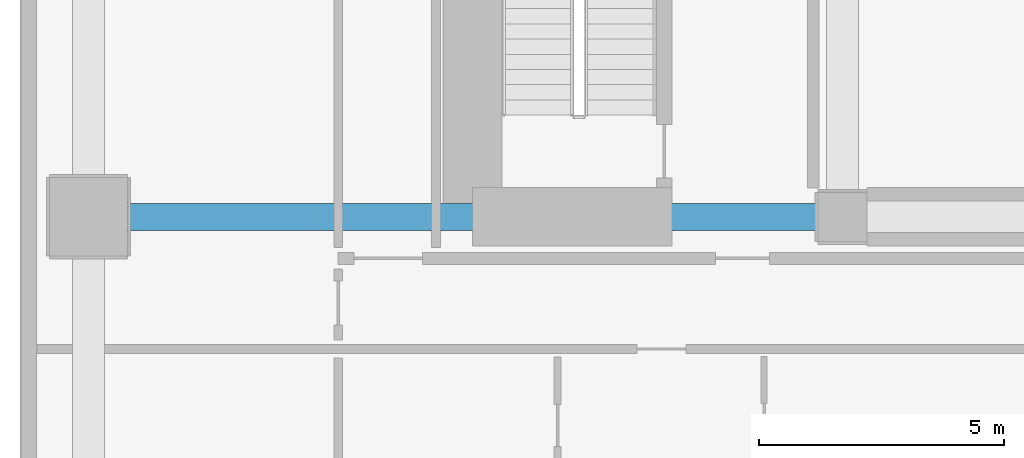
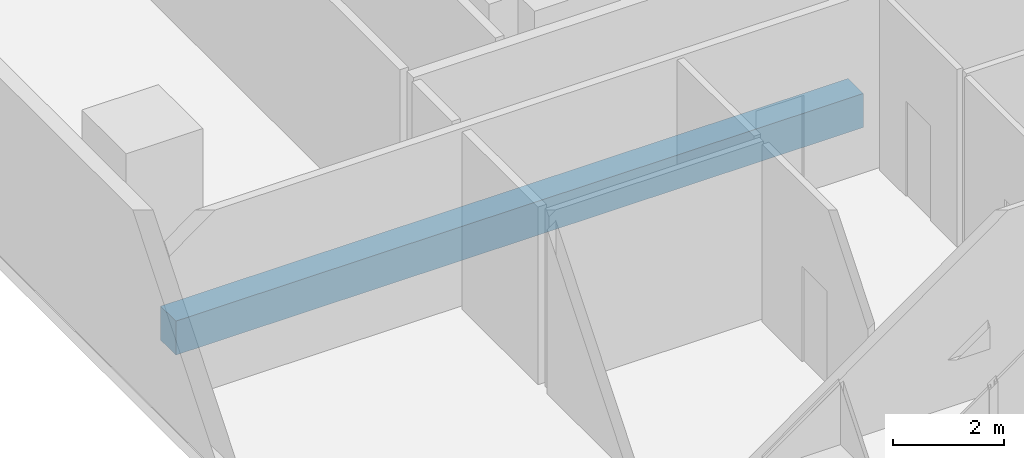
# One storey, part 3 of 24: 1 beam.
"""IFC4 building model written with IfcOpenShell, lengths in metres."""

import ifcopenshell
import ifcopenshell.guid

model = None  # the IFC model being written
_history = None  # IfcOwnerHistory: only IFC2X3 demands one
_inside = {}  # id of a spatial element -> (the spatial element, [elements in it])
_under = {}  # id of a project, library or spatial element -> (it, [spatial elements below it])
_declared = {}  # id of a project -> (the project, [libraries it declares])
_typed = {}  # id of a type object -> (the type object, [elements of that type])
_made_of = {}  # id of a material, layer set ... -> (it, [elements and type objects made of it])


def new_model(schema):
    """Start an empty IFC model of exactly this schema.

    Asked for "IFC4X3", IfcOpenShell would pick the latest addendum, in which some entities
    have other attributes; the version numbers below select the first issue.
    IFC2X3 requires an IfcOwnerHistory on every rooted entity: one is made here for all.
    """
    global model, _history
    if schema == "IFC4X3":
        model = ifcopenshell.file(schema_version=(4, 3, 0, 0))
    else:
        model = ifcopenshell.file(schema=schema)
    _inside.clear()
    _under.clear()
    _declared.clear()
    _typed.clear()
    _made_of.clear()
    _history = None
    if model.schema == "IFC2X3":
        org = make("IfcOrganization", Name="unknown")
        user = make(
            "IfcPersonAndOrganization",
            ThePerson=make("IfcPerson", FamilyName="unknown"),
            TheOrganization=org,
        )
        app = make(
            "IfcApplication",
            ApplicationDeveloper=org,
            Version="unknown",
            ApplicationFullName="unknown",
            ApplicationIdentifier="unknown",
        )
        _history = make(
            "IfcOwnerHistory",
            OwningUser=user,
            OwningApplication=app,
            ChangeAction="ADDED",
            CreationDate=0,
        )
    return model


def make(cls, **values):
    """One entity of the class cls with the attributes given. An attribute that is None is left unset."""
    return model.create_entity(
        cls, **{name: value for name, value in values.items() if value is not None}
    )


def rooted(cls, **values):
    """An entity with a GlobalId (a new one), such as an element, a storey or a relation."""
    return make(cls, GlobalId=ifcopenshell.guid.new(), OwnerHistory=_history, **values)


def si_unit(unit_type, name, prefix=None):
    """IfcSIUnit, for example si_unit("LENGTHUNIT", "METRE", prefix="MILLI")."""
    return make("IfcSIUnit", UnitType=unit_type, Prefix=prefix, Name=name)


def assignment(units):
    """IfcUnitAssignment: the units of a project."""
    return None if units is None else make("IfcUnitAssignment", Units=units)


def point(xyz):
    """IfcCartesianPoint."""
    return None if xyz is None else make("IfcCartesianPoint", Coordinates=xyz)


def direction(xyz):
    """IfcDirection."""
    return None if xyz is None else make("IfcDirection", DirectionRatios=xyz)


def frame(location, z_axis=None, x_axis=None):
    """IfcAxis2Placement3D, a coordinate frame: its origin and axes. An axis left out is left unset."""
    return make(
        "IfcAxis2Placement3D",
        Location=point(location),
        Axis=direction(z_axis),
        RefDirection=direction(x_axis),
    )


def frame_2d(location, x_axis=None):
    """IfcAxis2Placement2D, a coordinate frame in the plane: its origin and x axis."""
    return make(
        "IfcAxis2Placement2D", Location=point(location), RefDirection=direction(x_axis)
    )


def origin():
    """The frame at (0, 0, 0) with its axes left unset."""
    return frame((0.0, 0.0, 0.0))


def origin_2d():
    """The frame at (0, 0) in the plane with its x axis left unset."""
    return frame_2d((0.0, 0.0))


def place(relative_to, where):
    """IfcLocalPlacement: puts the frame where relative to a parent placement (None: the world)."""
    return make(
        "IfcLocalPlacement", PlacementRelTo=relative_to, RelativePlacement=where
    )


def context(
    kind, dimensions, precision=None, world=None, true_north=None, identifier=None
):
    """IfcGeometricRepresentationContext, for example the 3D "Model" context."""
    return make(
        "IfcGeometricRepresentationContext",
        ContextIdentifier=identifier,
        ContextType=kind,
        CoordinateSpaceDimension=dimensions,
        Precision=precision,
        WorldCoordinateSystem=world,
        TrueNorth=true_north,
    )


def subcontext(parent, identifier, kind, view, scale=None):
    """IfcGeometricRepresentationSubContext, for example "Body" below "Model"."""
    return make(
        "IfcGeometricRepresentationSubContext",
        ContextIdentifier=identifier,
        ContextType=kind,
        ParentContext=parent,
        TargetScale=scale,
        TargetView=view,
    )


def project(units=None, contexts=None):
    """IfcProject with its units and contexts."""
    return rooted(
        "IfcProject",
        Name="project",
        RepresentationContexts=contexts,
        UnitsInContext=assignment(units),
    )


def spatial(cls, under=None, at=None, **own):
    """A site, building, storey or space (cls), placed at a placement, below another one or the project."""
    s = rooted(cls, ObjectPlacement=at, **own)
    if under is not None:
        _under.setdefault(under.id(), (under, []))[1].append(s)
    return s


def profile(cls, at=None, kind="AREA", **sizes):
    """A parametric profile (cls). Its sizes go by their IFC names, for example OverallWidth=200.0."""
    return make(cls, ProfileType=kind, Position=at, **sizes)


def rectangle(**sizes):
    """IfcRectangleProfileDef."""
    return profile("IfcRectangleProfileDef", **sizes)


def extrude(swept, where, along, depth):
    """IfcExtrudedAreaSolid: the profile swept, set in the frame where, extruded along a direction by depth."""
    return make(
        "IfcExtrudedAreaSolid",
        SweptArea=swept,
        Position=where,
        ExtrudedDirection=direction(along),
        Depth=depth,
    )


def shape(context_of_items, identifier, shape_type, items):
    """IfcShapeRepresentation: the items that make up one representation, for example the "Body"."""
    return make(
        "IfcShapeRepresentation",
        ContextOfItems=context_of_items,
        RepresentationIdentifier=identifier,
        RepresentationType=shape_type,
        Items=items,
    )


def material(Name=None, Category=None):
    """IfcMaterial."""
    return make("IfcMaterial", Name=Name, Category=Category)


def material_profile(
    of_material, cross_section, Name=None, Category=None, Priority=None
):
    """IfcMaterialProfile: a cross section and its material."""
    return make(
        "IfcMaterialProfile",
        Name=Name,
        Material=of_material,
        Profile=cross_section,
        Priority=Priority,
        Category=Category,
    )


def profile_set(profiles, Name=None, composite=None):
    """IfcMaterialProfileSet."""
    return make(
        "IfcMaterialProfileSet",
        Name=Name,
        MaterialProfiles=profiles,
        CompositeProfile=composite,
    )


def made_of(thing, what):
    """Note that an element or type object is made of a material, layer set ...; save() writes the relation."""
    if what is not None:
        _made_of.setdefault(what.id(), (what, []))[1].append(thing)
    return thing


def type_object(cls, material=None, **own):
    """A type object (cls), such as IfcWallType, which elements share."""
    return made_of(rooted(cls, **own), material)


def element(
    cls,
    number,
    at=None,
    inside=None,
    cuts=None,
    type_object=None,
    material=None,
    context=None,
    identifier="Body",
    shape_type=None,
    held_by="IfcProductDefinitionShape",
    body=None,
    shapes=None,
    **own,
):
    """One element of the class cls, such as IfcWall. Its Tag is "e" and its number.

    at: its placement. inside: the storey or other place that contains it. cuts: it is an
    opening in that element (IfcRelVoidsElement). A single representation is given by context,
    identifier, shape_type and body (its items); several are given by shapes. held_by: the class
    of the entity that holds the representations. save() writes the other relations.
    """
    e = rooted(cls, Tag="e%d" % number, ObjectPlacement=at, **own)
    if body is not None:
        shapes = [shape(context, identifier, shape_type, body)]
    if shapes is not None:
        e.Representation = make(held_by, Representations=shapes)
    if inside is not None:
        _inside.setdefault(inside.id(), (inside, []))[1].append(e)
    if cuts is not None:
        rooted(
            "IfcRelVoidsElement", RelatingBuildingElement=cuts, RelatedOpeningElement=e
        )
    if type_object is not None:
        _typed.setdefault(type_object.id(), (type_object, []))[1].append(e)
    return made_of(e, material)


def aggregate(whole, parts):
    """IfcRelAggregates: a whole, such as a stair, and the parts it consists of."""
    return rooted("IfcRelAggregates", RelatingObject=whole, RelatedObjects=parts)


def save(model, path):
    """Write the relations noted so far, then the file.

    IfcRelAggregates (storeys below a building ...), IfcRelContainedInSpatialStructure (elements
    in a storey), IfcRelDefinesByType, IfcRelAssociatesMaterial and IfcRelDeclares: one each for
    every whole, place, type object, material and project.
    """
    for whole, parts in _under.values():
        aggregate(whole, parts)
    for where, things in _inside.values():
        rooted(
            "IfcRelContainedInSpatialStructure",
            RelatedElements=things,
            RelatingStructure=where,
        )
    for kind, things in _typed.values():
        rooted("IfcRelDefinesByType", RelatedObjects=things, RelatingType=kind)
    for what, things in _made_of.values():
        rooted("IfcRelAssociatesMaterial", RelatedObjects=things, RelatingMaterial=what)
    for by, libraries in _declared.values():
        rooted("IfcRelDeclares", RelatingContext=by, RelatedDefinitions=libraries)
    model.write(path)


model = new_model("IFC4")

# Units and contexts
model_context = context("Model", 3, precision=1e-05, world=origin(), true_north=direction((0.0, 1.0)))
body_context = subcontext(model_context, "Body", "Model", "MODEL_VIEW")
ifc_project = project(units=[si_unit("LENGTHUNIT", "METRE"), si_unit("AREAUNIT", "SQUARE_METRE"), si_unit("VOLUMEUNIT", "CUBIC_METRE"), si_unit("PLANEANGLEUNIT", "RADIAN"), si_unit("MASSUNIT", "GRAM", prefix="KILO")], contexts=[model_context])

# Site, building, storey
site_placement = place(None, origin())
site = spatial("IfcSite", under=ifc_project, at=site_placement, CompositionType="ELEMENT")
building_placement = place(site_placement, origin())
building = spatial("IfcBuilding", under=site, at=building_placement, Name="Solanera Arch Residences", CompositionType="ELEMENT")
storey_placement = place(building_placement, frame((0.0, 0.0, 5.199951171875)))
storey = spatial("IfcBuildingStorey", under=building, at=storey_placement, Name="L01", CompositionType="ELEMENT", Elevation=5.199951171875)

# Beam
ifc_material = material(Name="Concrete C40/50 (f'c = 45 MPa)", Category="concrete")
ifc_material_profile = material_profile(ifc_material, rectangle(XDim=0.550048828125, YDim=0.75, at=origin_2d()))
ifc_profile_set = profile_set([ifc_material_profile], Name="Concrete C40/50 (f'c = 45 MPa)")
beam_type = type_object("IfcBeamType", Name="Primary Beam RC-BM-550X750", PredefinedType="BEAM", material=ifc_profile_set)
beam_placement = place(storey_placement, frame((5.93994140625, 22.0, -0.655029296875), z_axis=(1.0, 0.0, 0.0), x_axis=(0.0, 1.0, 0.0)))
element("IfcBeam", 1, at=beam_placement, inside=storey, type_object=beam_type, Name="BM-L01-POD-RW-22", PredefinedType="BEAM", context=body_context, shape_type="SweptSolid", body=[
    extrude(rectangle(XDim=0.550048828125, YDim=0.75, at=origin_2d()), origin(), (0.0, 0.0, 1.0), 14.35595703125),
])

save(model, "model.ifc")
